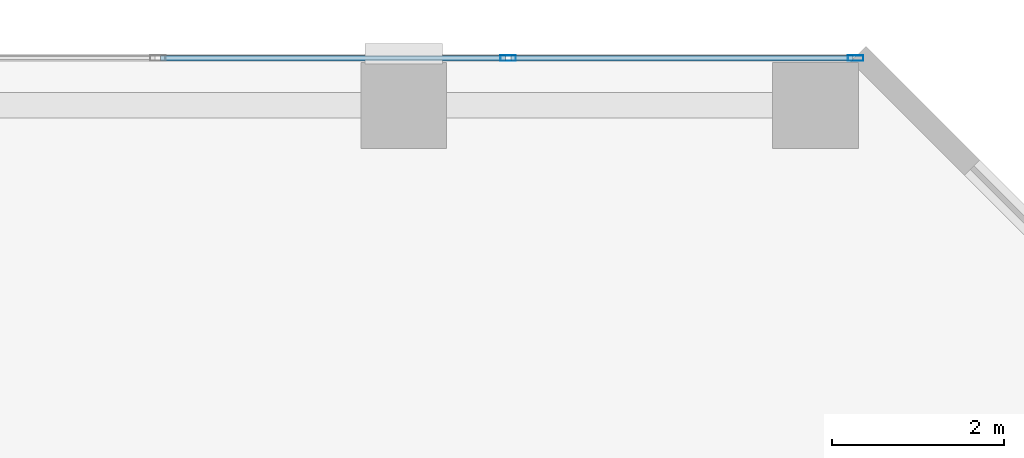
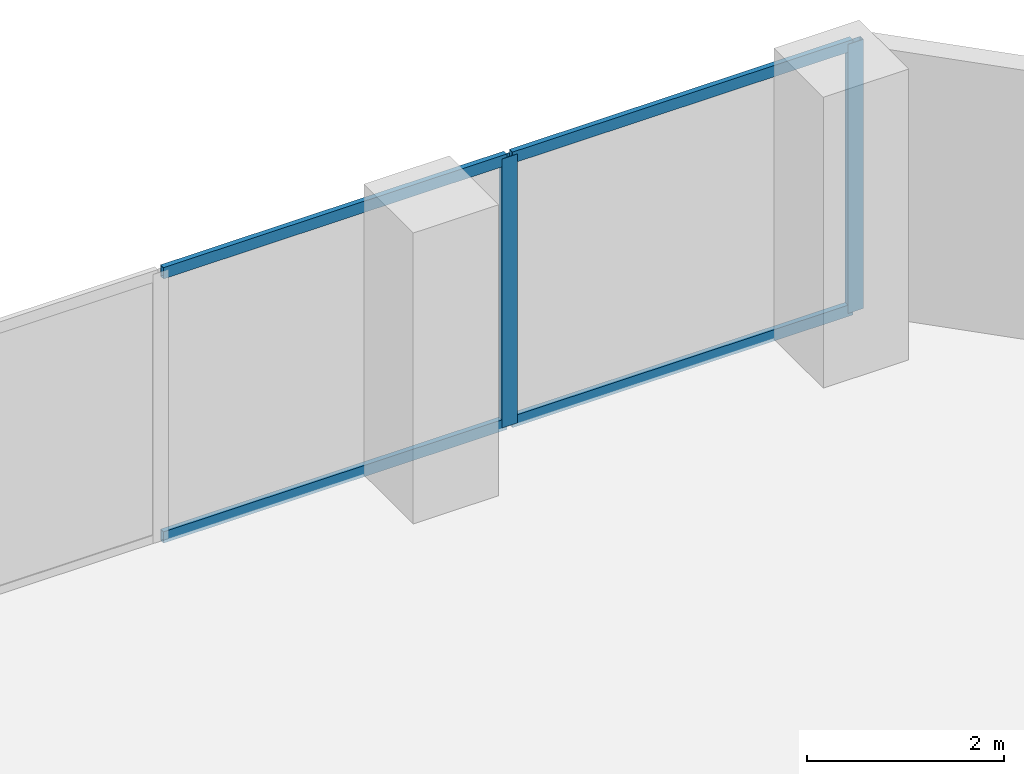
# One storey, part 25 of 31: 6 members, 1 element without a shape of its own.
"""IFC4 building model written with IfcOpenShell, lengths in metres."""

from ifc_helpers import new_model, si_unit, direction, frame, origin, origin_2d, place, context, subcontext, project, spatial, hollow_rectangle, extrude, material, layer, layer_set, material_profile, profile_set, type_object, element, aggregate, save


model = new_model("IFC4")

# Units and contexts
model_context = context("Model", 3, precision=1e-05, world=origin(), true_north=direction((0.0, 1.0)))
body_context = subcontext(model_context, "Body", "Model", "MODEL_VIEW")
ifc_project = project(units=[si_unit("LENGTHUNIT", "METRE"), si_unit("AREAUNIT", "SQUARE_METRE"), si_unit("VOLUMEUNIT", "CUBIC_METRE"), si_unit("PLANEANGLEUNIT", "RADIAN"), si_unit("MASSUNIT", "GRAM", prefix="KILO")], contexts=[model_context])

# Site, building, storey
site_placement = place(None, origin())
site = spatial("IfcSite", under=ifc_project, at=site_placement, CompositionType="ELEMENT")
building_placement = place(site_placement, origin())
building = spatial("IfcBuilding", under=site, at=building_placement, Name="Catumbela Crestline Tower", CompositionType="ELEMENT")
storey_placement = place(building_placement, frame((0.0, 0.0, 25.8)))
storey = spatial("IfcBuildingStorey", under=building, at=storey_placement, Name="L05", CompositionType="ELEMENT", Elevation=25.8)

# Curtain wall, members
ifc_material = material(Name="Aluminium alloy AW-6060-T66", Category="aluminium")
ifc_layer = layer(ifc_material, 0.18, Name="Aluminium alloy AW-6060-T66")
ifc_layer_set = layer_set([ifc_layer], Name="Aluminium alloy AW-6060-T66")
curtain_wall_type = type_object("IfcCurtainWallType", Name="CWU-Z1", PredefinedType="USERDEFINED", material=ifc_layer_set)
curtain_wall_placement = place(storey_placement, origin())
curtain_wall = element("IfcCurtainWall", 1, at=curtain_wall_placement, inside=storey, type_object=curtain_wall_type, Name="L05 Unitised Curtain Wall CW-L05-E7S1", ObjectType="UNITISED", PredefinedType="USERDEFINED")
ifc_material_profile_1 = material_profile(ifc_material, hollow_rectangle(XDim=0.065, YDim=0.18, WallThickness=0.004, at=origin_2d()), Name="ALU 180x65x4")
ifc_profile_set_1 = profile_set([ifc_material_profile_1], Name="Aluminium alloy AW-6060-T66")
member_type_1 = type_object("IfcMemberType", Name="MUL-180X65", PredefinedType="MULLION", material=ifc_profile_set_1)
member_1_placement = place(storey_placement, frame((52.4675, 47.95, 0.0), z_axis=(0.0, 0.0, 1.0), x_axis=(0.0, -1.0, 0.0)))
member_1 = element("IfcMember", 2, at=member_1_placement, type_object=member_type_1, Name="CWU-Z1 mullion 1", PredefinedType="MULLION", context=body_context, shape_type="SweptSolid", body=[
    extrude(hollow_rectangle(XDim=0.065, YDim=0.18, WallThickness=0.004, at=origin_2d()), origin(), (0.0, 0.0, 1.0), 3.33),
])
member_2_placement = place(storey_placement, frame((48.4167, 47.95, 0.0), z_axis=(0.0, 0.0, 1.0), x_axis=(0.0, -1.0, 0.0)))
member_2 = element("IfcMember", 3, at=member_2_placement, type_object=member_type_1, Name="CWU-Z1 mullion 2", PredefinedType="MULLION", context=body_context, shape_type="SweptSolid", body=[
    extrude(hollow_rectangle(XDim=0.065, YDim=0.18, WallThickness=0.004, at=origin_2d()), origin(), (0.0, 0.0, 1.0), 3.33),
])
ifc_material_profile_2 = material_profile(ifc_material, hollow_rectangle(XDim=0.06, YDim=0.14, WallThickness=0.004, at=origin_2d()), Name="ALU 140x60x4")
ifc_profile_set_2 = profile_set([ifc_material_profile_2], Name="Aluminium alloy AW-6060-T66")
member_type_2 = type_object("IfcMemberType", Name="TRN-140X60", PredefinedType="USERDEFINED", material=ifc_profile_set_2)
member_3_placement = place(storey_placement, frame((52.435, 47.95, 0.03), z_axis=(-1.0, 0.0, 0.0), x_axis=(0.0, -1.0, 0.0)))
member_3 = element("IfcMember", 4, at=member_3_placement, type_object=member_type_2, Name="CWU-Z1 transom 1.1", ObjectType="TRANSOM", PredefinedType="USERDEFINED", context=body_context, shape_type="SweptSolid", body=[
    extrude(hollow_rectangle(XDim=0.06, YDim=0.14, WallThickness=0.004, at=origin_2d()), origin(), (0.0, 0.0, 1.0), 3.9858),
])
member_4_placement = place(storey_placement, frame((52.435, 47.95, 3.3), z_axis=(-1.0, 0.0, 0.0), x_axis=(0.0, -1.0, 0.0)))
member_4 = element("IfcMember", 5, at=member_4_placement, type_object=member_type_2, Name="CWU-Z1 transom 1.2", ObjectType="TRANSOM", PredefinedType="USERDEFINED", context=body_context, shape_type="SweptSolid", body=[
    extrude(hollow_rectangle(XDim=0.06, YDim=0.14, WallThickness=0.004, at=origin_2d()), origin(), (0.0, 0.0, 1.0), 3.9858),
])
member_5_placement = place(storey_placement, frame((48.3842, 47.95, 0.03), z_axis=(-1.0, 0.0, 0.0), x_axis=(0.0, -1.0, 0.0)))
member_5 = element("IfcMember", 6, at=member_5_placement, type_object=member_type_2, Name="CWU-Z1 transom 2.1", ObjectType="TRANSOM", PredefinedType="USERDEFINED", context=body_context, shape_type="SweptSolid", body=[
    extrude(hollow_rectangle(XDim=0.06, YDim=0.14, WallThickness=0.004, at=origin_2d()), origin(), (0.0, 0.0, 1.0), 4.0184),
])
member_6_placement = place(storey_placement, frame((48.3842, 47.95, 3.3), z_axis=(-1.0, 0.0, 0.0), x_axis=(0.0, -1.0, 0.0)))
member_6 = element("IfcMember", 7, at=member_6_placement, type_object=member_type_2, Name="CWU-Z1 transom 2.2", ObjectType="TRANSOM", PredefinedType="USERDEFINED", context=body_context, shape_type="SweptSolid", body=[
    extrude(hollow_rectangle(XDim=0.06, YDim=0.14, WallThickness=0.004, at=origin_2d()), origin(), (0.0, 0.0, 1.0), 4.0184),
])
aggregate(curtain_wall, [member_1, member_2, member_3, member_4, member_5, member_6])

save(model, "model.ifc")
